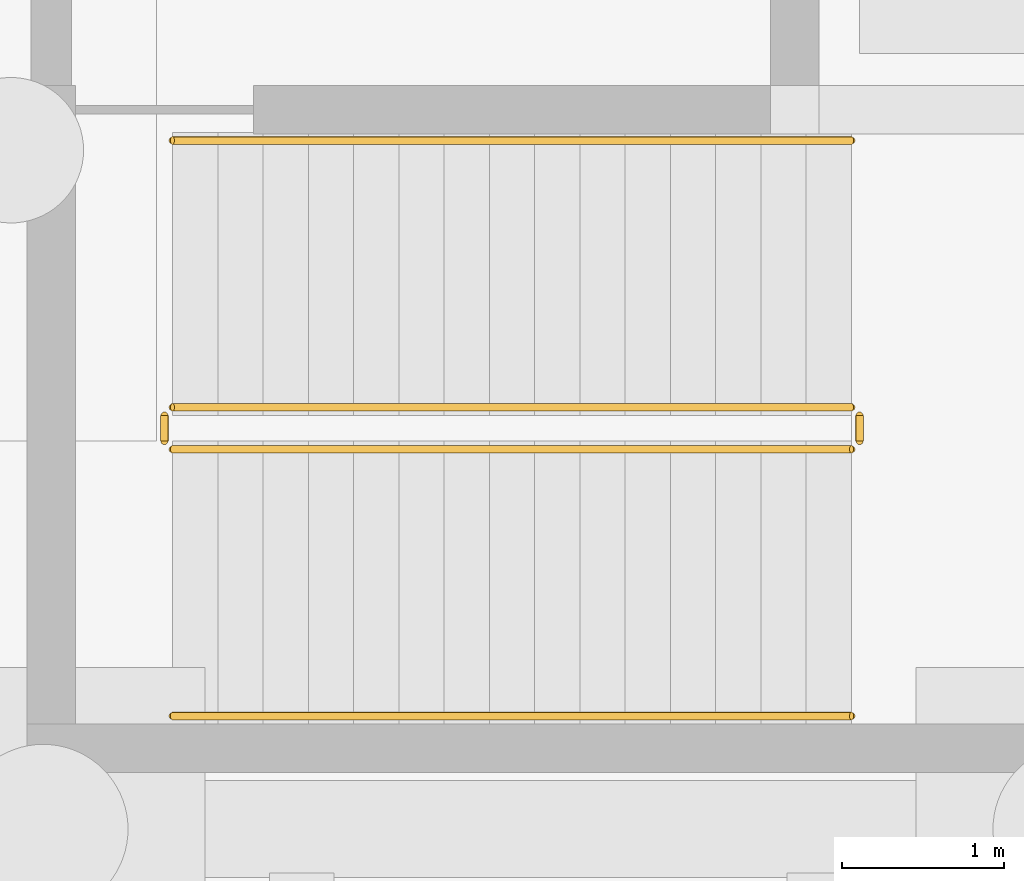
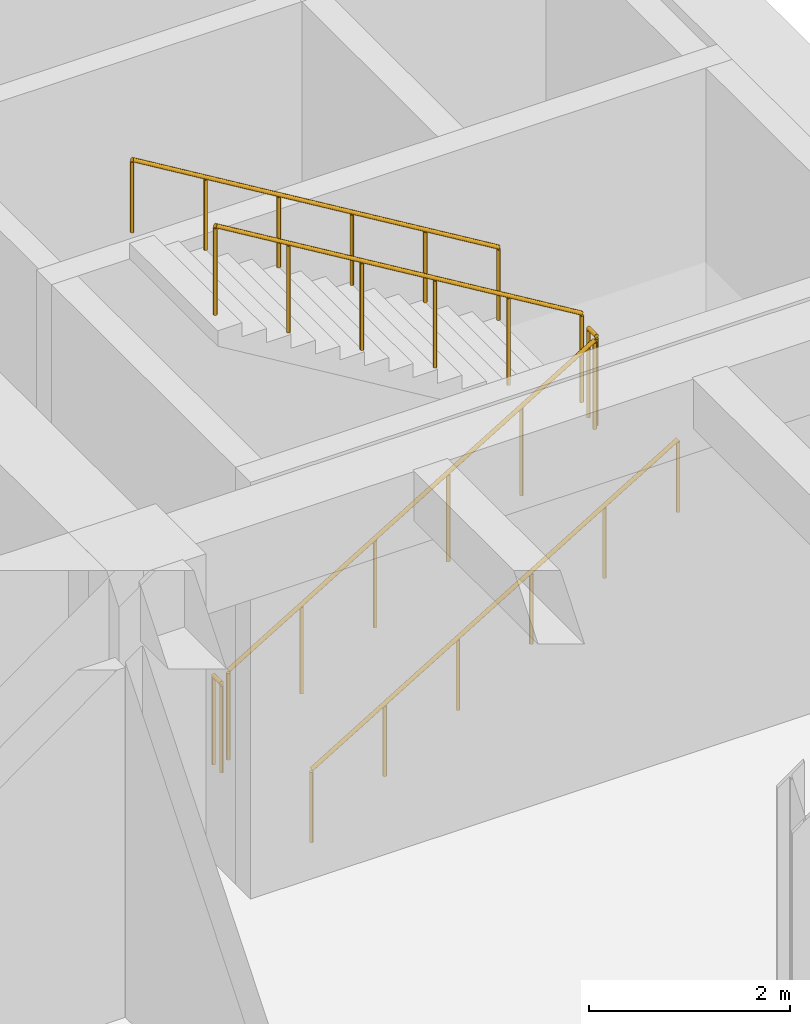
# One storey, part 22 of 24: 6 railings.
"""IFC4 building model written with IfcOpenShell, lengths in metres."""

from ifc_helpers import new_model, si_unit, direction, frame, origin, origin_2d, place, context, subcontext, project, spatial, circle, extrude, material, type_object, element, save


model = new_model("IFC4")

# Units and contexts
model_context = context("Model", 3, precision=1e-05, world=origin(), true_north=direction((0.0, 1.0)))
body_context = subcontext(model_context, "Body", "Model", "MODEL_VIEW")
ifc_project = project(units=[si_unit("LENGTHUNIT", "METRE"), si_unit("AREAUNIT", "SQUARE_METRE"), si_unit("VOLUMEUNIT", "CUBIC_METRE"), si_unit("PLANEANGLEUNIT", "RADIAN"), si_unit("MASSUNIT", "GRAM", prefix="KILO")], contexts=[model_context])

# Site, building, storey
site_placement = place(None, origin())
site = spatial("IfcSite", under=ifc_project, at=site_placement, CompositionType="ELEMENT")
building_placement = place(site_placement, origin())
building = spatial("IfcBuilding", under=site, at=building_placement, Name="Coralgate Yard Interchange", CompositionType="ELEMENT")
storey_placement = place(building_placement, frame((0.0, 0.0, -10.800048828125)))
storey = spatial("IfcBuildingStorey", under=building, at=storey_placement, Name="B2", CompositionType="ELEMENT", Elevation=-10.800048828125)

# Railings
ifc_material_1 = material(Name="Grade 316 marine stainless steel and toughened glass balustrade", Category="steel")
railing_type_1 = type_object("IfcRailingType", Name="RLG-GD1100", PredefinedType="BALUSTRADE", material=ifc_material_1)
railing_1_placement = place(storey_placement, frame((50.39990234375, 79.14990234375, 0.168701171875)))
element("IfcRailing", 1, at=railing_1_placement, inside=storey, type_object=railing_type_1, Name="B2 ST-05 stair guard 1", PredefinedType="BALUSTRADE", context=body_context, shape_type="SweptSolid", body=[
    extrude(circle(Radius=0.02392578125, at=origin_2d()), frame((0.0, 0.0, 1.076171875), z_axis=(0.856489757249, 0.0, 0.516164020179), x_axis=(0.0, 1.0, 0.0)), (0.0, 0.0, 1.0), 4.904052734375),
    extrude(circle(Radius=0.02099609375, at=origin_2d()), origin(), (0.0, 0.0, 1.0), 1.051513671875),
    extrude(circle(Radius=0.02099609375, at=origin_2d()), frame((0.840087890625, 0.0, 0.50634765625)), (0.0, 0.0, 1.0), 1.051513671875),
    extrude(circle(Radius=0.02099609375, at=origin_2d()), frame((1.68017578125, 0.0, 1.012451171875)), (0.0, 0.0, 1.0), 1.051513671875),
    extrude(circle(Radius=0.02099609375, at=origin_2d()), frame((2.52001953125, 0.0, 1.518798828125)), (0.0, 0.0, 1.0), 1.051513671875),
    extrude(circle(Radius=0.02099609375, at=origin_2d()), frame((3.360107421875, 0.0, 2.02490234375)), (0.0, 0.0, 1.0), 1.051513671875),
    extrude(circle(Radius=0.02099609375, at=origin_2d()), frame((4.2001953125, 0.0, 2.53125)), (0.0, 0.0, 1.0), 1.051513671875),
])
railing_2_placement = place(storey_placement, frame((54.64990234375, 79.199951171875, 2.699951171875)))
element("IfcRailing", 2, at=railing_2_placement, inside=storey, type_object=railing_type_1, Name="B2 ST-05 stair guard 2", PredefinedType="BALUSTRADE", context=body_context, shape_type="SweptSolid", body=[
    extrude(circle(Radius=0.02392578125, at=origin_2d()), frame((0.0, 0.0, 1.076171875), z_axis=(0.0, 1.0, 0.0), x_axis=(-1.0, 0.0, 0.0)), (0.0, 0.0, 1.0), 0.16015625),
    extrude(circle(Radius=0.02099609375, at=origin_2d()), origin(), (0.0, 0.0, 1.0), 1.051513671875),
    extrude(circle(Radius=0.02099609375, at=origin_2d()), frame((0.0, 0.16015625, 0.0)), (0.0, 0.0, 1.0), 1.051513671875),
])
railing_3_placement = place(storey_placement, frame((54.60009765625, 79.409912109375, 2.868896484375)))
element("IfcRailing", 3, at=railing_3_placement, inside=storey, type_object=railing_type_1, Name="B2 ST-05 stair guard 3", PredefinedType="BALUSTRADE", context=body_context, shape_type="SweptSolid", body=[
    extrude(circle(Radius=0.02392578125, at=origin_2d()), frame((0.0, 0.0, 1.076171875), z_axis=(-0.856489757249, 0.0, 0.516164020179), x_axis=(0.0, -1.0, 0.0)), (0.0, 0.0, 1.0), 4.904052734375),
    extrude(circle(Radius=0.02099609375, at=origin_2d()), origin(), (0.0, 0.0, 1.0), 1.051513671875),
    extrude(circle(Radius=0.02099609375, at=origin_2d()), frame((-0.840087890625, 0.0, 0.50634765625)), (0.0, 0.0, 1.0), 1.051513671875),
    extrude(circle(Radius=0.02099609375, at=origin_2d()), frame((-1.68017578125, 0.0, 1.012451171875)), (0.0, 0.0, 1.0), 1.051513671875),
    extrude(circle(Radius=0.02099609375, at=origin_2d()), frame((-2.52001953125, 0.0, 1.518798828125)), (0.0, 0.0, 1.0), 1.051513671875),
    extrude(circle(Radius=0.02099609375, at=origin_2d()), frame((-3.360107421875, 0.0, 2.02490234375)), (0.0, 0.0, 1.0), 1.051513671875),
    extrude(circle(Radius=0.02099609375, at=origin_2d()), frame((-4.2001953125, 0.0, 2.53125)), (0.0, 0.0, 1.0), 1.051513671875),
])
railing_4_placement = place(storey_placement, frame((50.35009765625, 79.199951171875, 0.0)))
element("IfcRailing", 4, at=railing_4_placement, inside=storey, type_object=railing_type_1, Name="B2 ST-05 stair guard 4", PredefinedType="BALUSTRADE", context=body_context, shape_type="SweptSolid", body=[
    extrude(circle(Radius=0.02392578125, at=origin_2d()), frame((0.0, 0.0, 1.076171875), z_axis=(0.0, 1.0, 0.0), x_axis=(-1.0, 0.0, 0.0)), (0.0, 0.0, 1.0), 0.16015625),
    extrude(circle(Radius=0.02099609375, at=origin_2d()), origin(), (0.0, 0.0, 1.0), 1.051513671875),
    extrude(circle(Radius=0.02099609375, at=origin_2d()), frame((0.0, 0.16015625, 0.0)), (0.0, 0.0, 1.0), 1.051513671875),
])
ifc_material_2 = material(Name="Grade 316 marine stainless steel", Category="steel")
railing_type_2 = type_object("IfcRailingType", Name="RLG-HR900", PredefinedType="HANDRAIL", material=ifc_material_2)
railing_5_placement = place(storey_placement, frame((50.39990234375, 77.5, 0.168701171875)))
element("IfcRailing", 5, at=railing_5_placement, inside=storey, type_object=railing_type_2, Name="B2 ST-05 stair handrail 1", PredefinedType="HANDRAIL", context=body_context, shape_type="SweptSolid", body=[
    extrude(circle(Radius=0.02392578125, at=origin_2d()), frame((0.0, 0.0, 0.8759765625), z_axis=(0.856489757249, 0.0, 0.516164020179), x_axis=(0.0, 1.0, 0.0)), (0.0, 0.0, 1.0), 4.904052734375),
    extrude(circle(Radius=0.02099609375, at=origin_2d()), origin(), (0.0, 0.0, 1.0), 0.851318359375),
    extrude(circle(Radius=0.02099609375, at=origin_2d()), frame((0.840087890625, 0.0, 0.50634765625)), (0.0, 0.0, 1.0), 0.851318359375),
    extrude(circle(Radius=0.02099609375, at=origin_2d()), frame((1.68017578125, 0.0, 1.012451171875)), (0.0, 0.0, 1.0), 0.851318359375),
    extrude(circle(Radius=0.02099609375, at=origin_2d()), frame((2.52001953125, 0.0, 1.518798828125)), (0.0, 0.0, 1.0), 0.851318359375),
    extrude(circle(Radius=0.02099609375, at=origin_2d()), frame((3.360107421875, 0.0, 2.02490234375)), (0.0, 0.0, 1.0), 0.851318359375),
    extrude(circle(Radius=0.02099609375, at=origin_2d()), frame((4.2001953125, 0.0, 2.53125)), (0.0, 0.0, 1.0), 0.851318359375),
])
railing_6_placement = place(storey_placement, frame((54.60009765625, 81.06005859375, 2.868896484375)))
element("IfcRailing", 6, at=railing_6_placement, inside=storey, type_object=railing_type_2, Name="B2 ST-05 stair handrail 2", PredefinedType="HANDRAIL", context=body_context, shape_type="SweptSolid", body=[
    extrude(circle(Radius=0.02392578125, at=origin_2d()), frame((0.0, 0.0, 0.8759765625), z_axis=(-0.856489757249, 0.0, 0.516164020179), x_axis=(0.0, -1.0, 0.0)), (0.0, 0.0, 1.0), 4.904052734375),
    extrude(circle(Radius=0.02099609375, at=origin_2d()), origin(), (0.0, 0.0, 1.0), 0.851318359375),
    extrude(circle(Radius=0.02099609375, at=origin_2d()), frame((-0.840087890625, 0.0, 0.50634765625)), (0.0, 0.0, 1.0), 0.851318359375),
    extrude(circle(Radius=0.02099609375, at=origin_2d()), frame((-1.68017578125, 0.0, 1.012451171875)), (0.0, 0.0, 1.0), 0.851318359375),
    extrude(circle(Radius=0.02099609375, at=origin_2d()), frame((-2.52001953125, 0.0, 1.518798828125)), (0.0, 0.0, 1.0), 0.851318359375),
    extrude(circle(Radius=0.02099609375, at=origin_2d()), frame((-3.360107421875, 0.0, 2.02490234375)), (0.0, 0.0, 1.0), 0.851318359375),
    extrude(circle(Radius=0.02099609375, at=origin_2d()), frame((-4.2001953125, 0.0, 2.53125)), (0.0, 0.0, 1.0), 0.851318359375),
])

save(model, "model.ifc")
